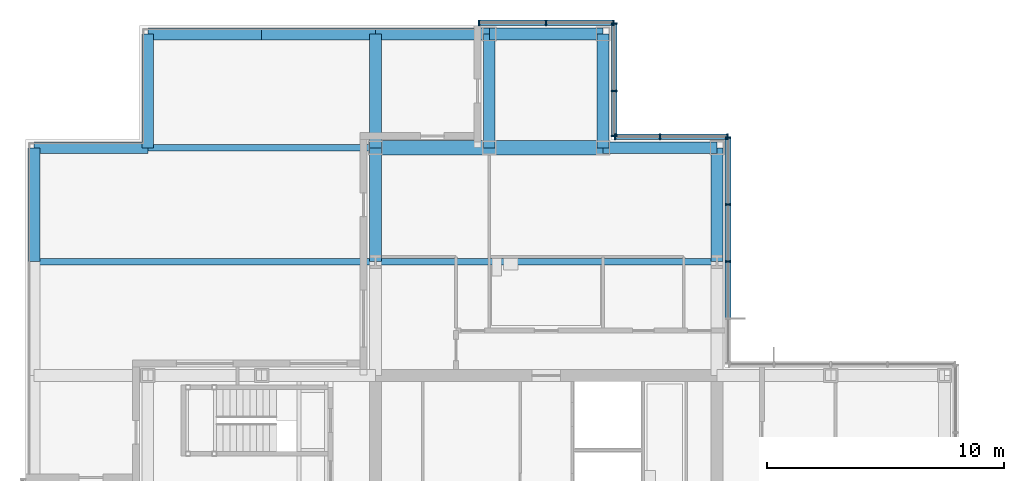
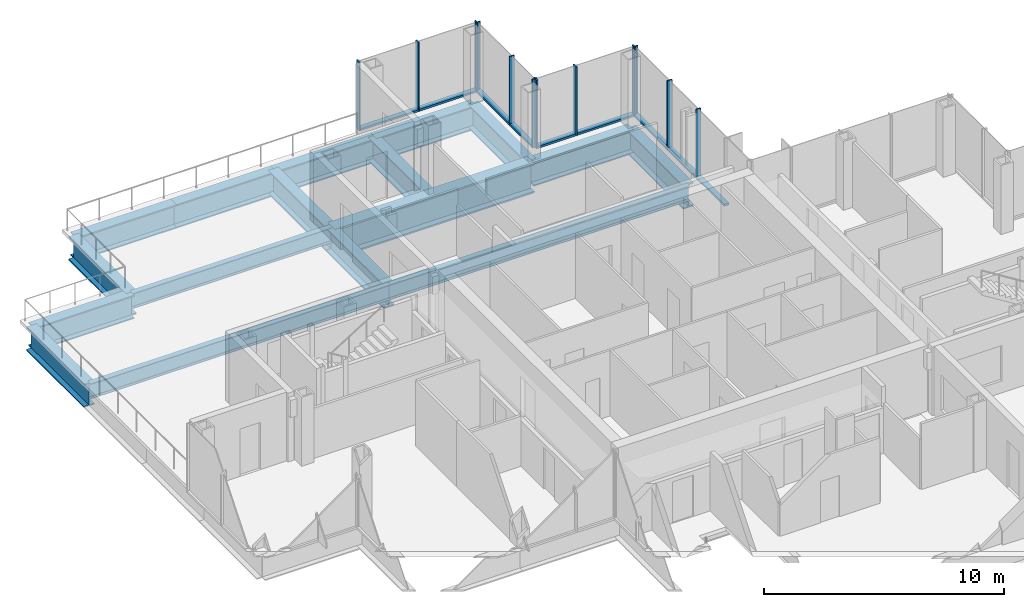
# One storey, part 9 of 17: 21 members, 17 beams, 4 elements without a shape of their own.
"""IFC4 building model written with IfcOpenShell, lengths in metres."""

from ifc_helpers import new_model, si_unit, direction, frame, origin, origin_2d, place, context, subcontext, project, spatial, rectangle, i_section, extrude, material, material_profile, profile_set, type_object, element, aggregate, save


model = new_model("IFC4")

# Units and contexts
model_context = context("Model", 3, precision=1e-05, world=origin(), true_north=direction((0.0, 1.0)))
body_context = subcontext(model_context, "Body", "Model", "MODEL_VIEW")
ifc_project = project(units=[si_unit("LENGTHUNIT", "METRE"), si_unit("AREAUNIT", "SQUARE_METRE"), si_unit("VOLUMEUNIT", "CUBIC_METRE"), si_unit("PLANEANGLEUNIT", "RADIAN"), si_unit("MASSUNIT", "GRAM", prefix="KILO")], contexts=[model_context])

# Site, building, storey
site_placement = place(None, origin())
site = spatial("IfcSite", under=ifc_project, at=site_placement, CompositionType="ELEMENT")
building_placement = place(site_placement, origin())
building = spatial("IfcBuilding", under=site, at=building_placement, Name="Kvirike Care Tower", CompositionType="ELEMENT")
storey_placement = place(building_placement, frame((0.0, 0.0, 141.0)))
storey = spatial("IfcBuildingStorey", under=building, at=storey_placement, Name="L38", CompositionType="ELEMENT", Elevation=141.0)

# Curtain wall, members
ifc_material_1 = material(Name="Anodised aluminium stick system", Category="aluminium")
curtain_wall_type = type_object("IfcCurtainWallType", Name="CW-C STICK CURTAIN WALL", PredefinedType="NOTDEFINED", material=ifc_material_1)
curtain_wall_1_placement = place(storey_placement, origin())
curtain_wall_1 = element("IfcCurtainWall", 1, at=curtain_wall_1_placement, inside=storey, type_object=curtain_wall_type, Name="Curtain wall L38 face 8", PredefinedType="NOTDEFINED")
ifc_material_2 = material(Name="Bronze anodised aluminium mullion", Category="aluminium")
ifc_material_profile_1 = material_profile(ifc_material_2, rectangle(XDim=0.06494140625, YDim=0.239990234375, at=origin_2d()), Name="CW-C MULLION 65x240")
ifc_profile_set_1 = profile_set([ifc_material_profile_1], Name="Bronze anodised aluminium mullion")
member_type_1 = type_object("IfcMemberType", Name="CW-C MULLION 65x240", PredefinedType="MULLION", material=ifc_profile_set_1)
member_1_placement = place(storey_placement, frame((29.27001953125, 48.0, 0.0), z_axis=(0.0, 0.0, 1.0), x_axis=(0.0, 1.0, 0.0)))
member_1 = element("IfcMember", 2, at=member_1_placement, type_object=member_type_1, Name="CW-C mullion L38 face 8.3", PredefinedType="MULLION", context=body_context, shape_type="SweptSolid", body=[
    extrude(rectangle(XDim=0.06494140625, YDim=0.239990234375, at=origin_2d()), origin(), (0.0, 0.0, 1.0), 3.5),
])
member_2_placement = place(storey_placement, frame((29.27001953125, 50.39990234375, 0.0), z_axis=(0.0, 0.0, 1.0), x_axis=(0.0, 1.0, 0.0)))
member_2 = element("IfcMember", 3, at=member_2_placement, type_object=member_type_1, Name="CW-C mullion L38 face 8.4", PredefinedType="MULLION", context=body_context, shape_type="SweptSolid", body=[
    extrude(rectangle(XDim=0.06494140625, YDim=0.239990234375, at=origin_2d()), origin(), (0.0, 0.0, 1.0), 3.5),
])
member_3_placement = place(storey_placement, frame((29.27001953125, 53.237548828125, 0.0), z_axis=(0.0, 0.0, 1.0), x_axis=(0.0, 1.0, 0.0)))
member_3 = element("IfcMember", 4, at=member_3_placement, type_object=member_type_1, Name="CW-C mullion L38 face 8.5", PredefinedType="MULLION", context=body_context, shape_type="SweptSolid", body=[
    extrude(rectangle(XDim=0.06494140625, YDim=0.239990234375, at=origin_2d()), origin(), (0.0, 0.0, 1.0), 3.5),
])

curtain_wall_2_placement = place(storey_placement, origin())
curtain_wall_2 = element("IfcCurtainWall", 5, at=curtain_wall_2_placement, inside=storey, type_object=curtain_wall_type, Name="Curtain wall L38 face 9", PredefinedType="NOTDEFINED")
member_4_placement = place(storey_placement, frame((29.237548828125, 53.27001953125, 0.0), z_axis=(0.0, 0.0, 1.0), x_axis=(-1.0, 0.0, 0.0)))
member_4 = element("IfcMember", 6, at=member_4_placement, type_object=member_type_1, Name="CW-C mullion L38 face 9.1", PredefinedType="MULLION", context=body_context, shape_type="SweptSolid", body=[
    extrude(rectangle(XDim=0.06494140625, YDim=0.239990234375, at=origin_2d()), origin(), (0.0, 0.0, 1.0), 3.5),
])
member_5_placement = place(storey_placement, frame((26.39990234375, 53.27001953125, 0.0), z_axis=(0.0, 0.0, 1.0), x_axis=(-1.0, 0.0, 0.0)))
member_5 = element("IfcMember", 7, at=member_5_placement, type_object=member_type_1, Name="CW-C mullion L38 face 9.2", PredefinedType="MULLION", context=body_context, shape_type="SweptSolid", body=[
    extrude(rectangle(XDim=0.06494140625, YDim=0.239990234375, at=origin_2d()), origin(), (0.0, 0.0, 1.0), 3.5),
])
member_6_placement = place(storey_placement, frame((24.50244140625, 53.27001953125, 0.0), z_axis=(0.0, 0.0, 1.0), x_axis=(-1.0, 0.0, 0.0)))
member_6 = element("IfcMember", 8, at=member_6_placement, type_object=member_type_1, Name="CW-C mullion L38 face 9.3", PredefinedType="MULLION", context=body_context, shape_type="SweptSolid", body=[
    extrude(rectangle(XDim=0.06494140625, YDim=0.239990234375, at=origin_2d()), origin(), (0.0, 0.0, 1.0), 3.5),
])

curtain_wall_3_placement = place(storey_placement, origin())
curtain_wall_3 = element("IfcCurtainWall", 9, at=curtain_wall_3_placement, inside=storey, type_object=curtain_wall_type, Name="Curtain wall L38 face 10", PredefinedType="NOTDEFINED")
member_7_placement = place(storey_placement, frame((24.469970703125, 53.302490234375, 0.0), z_axis=(0.0, 0.0, 1.0), x_axis=(0.0, 1.0, 0.0)))
member_7 = element("IfcMember", 10, at=member_7_placement, type_object=member_type_1, Name="CW-C mullion L38 face 10.1", PredefinedType="MULLION", context=body_context, shape_type="SweptSolid", body=[
    extrude(rectangle(XDim=0.06494140625, YDim=0.239990234375, at=origin_2d()), origin(), (0.0, 0.0, 1.0), 3.5),
])
member_8_placement = place(storey_placement, frame((24.469970703125, 55.199951171875, 0.0), z_axis=(0.0, 0.0, 1.0), x_axis=(0.0, 1.0, 0.0)))
member_8 = element("IfcMember", 11, at=member_8_placement, type_object=member_type_1, Name="CW-C mullion L38 face 10.2", PredefinedType="MULLION", context=body_context, shape_type="SweptSolid", body=[
    extrude(rectangle(XDim=0.06494140625, YDim=0.239990234375, at=origin_2d()), origin(), (0.0, 0.0, 1.0), 3.5),
])
member_9_placement = place(storey_placement, frame((24.469970703125, 58.03759765625, 0.0), z_axis=(0.0, 0.0, 1.0), x_axis=(0.0, 1.0, 0.0)))
member_9 = element("IfcMember", 12, at=member_9_placement, type_object=member_type_1, Name="CW-C mullion L38 face 10.3", PredefinedType="MULLION", context=body_context, shape_type="SweptSolid", body=[
    extrude(rectangle(XDim=0.06494140625, YDim=0.239990234375, at=origin_2d()), origin(), (0.0, 0.0, 1.0), 3.5),
])

curtain_wall_4_placement = place(storey_placement, origin())
curtain_wall_4 = element("IfcCurtainWall", 13, at=curtain_wall_4_placement, inside=storey, type_object=curtain_wall_type, Name="Curtain wall L38 face 11", PredefinedType="NOTDEFINED")
member_10_placement = place(storey_placement, frame((24.4375, 58.070068359375, 0.0), z_axis=(0.0, 0.0, 1.0), x_axis=(-1.0, 0.0, 0.0)))
member_10 = element("IfcMember", 14, at=member_10_placement, type_object=member_type_1, Name="CW-C mullion L38 face 11.1", PredefinedType="MULLION", context=body_context, shape_type="SweptSolid", body=[
    extrude(rectangle(XDim=0.06494140625, YDim=0.239990234375, at=origin_2d()), origin(), (0.0, 0.0, 1.0), 3.5),
])
member_11_placement = place(storey_placement, frame((21.60009765625, 58.070068359375, 0.0), z_axis=(0.0, 0.0, 1.0), x_axis=(-1.0, 0.0, 0.0)))
member_11 = element("IfcMember", 15, at=member_11_placement, type_object=member_type_1, Name="CW-C mullion L38 face 11.2", PredefinedType="MULLION", context=body_context, shape_type="SweptSolid", body=[
    extrude(rectangle(XDim=0.06494140625, YDim=0.239990234375, at=origin_2d()), origin(), (0.0, 0.0, 1.0), 3.5),
])
member_12_placement = place(storey_placement, frame((18.762451171875, 58.070068359375, 0.0), z_axis=(0.0, 0.0, 1.0), x_axis=(-1.0, 0.0, 0.0)))
member_12 = element("IfcMember", 16, at=member_12_placement, type_object=member_type_1, Name="CW-C mullion L38 face 11.3", PredefinedType="MULLION", context=body_context, shape_type="SweptSolid", body=[
    extrude(rectangle(XDim=0.06494140625, YDim=0.239990234375, at=origin_2d()), origin(), (0.0, 0.0, 1.0), 3.5),
])

# Member
ifc_material_3 = material(Name="Bronze anodised aluminium transom", Category="aluminium")
ifc_material_profile_2 = material_profile(ifc_material_3, rectangle(XDim=0.239990234375, YDim=0.10009765625, at=origin_2d()), Name="CW-C TRANSOM 240x100")
ifc_profile_set_2 = profile_set([ifc_material_profile_2], Name="Bronze anodised aluminium transom")
member_type_2 = type_object("IfcMemberType", Name="CW-C TRANSOM 240x100", PredefinedType="USERDEFINED", material=ifc_profile_set_2)
member_13_placement = place(storey_placement, frame((29.27001953125, 45.632568359375, 0.050048828125), z_axis=(0.0, 1.0, 0.0), x_axis=(-1.0, 0.0, 0.0)))
member_13 = element("IfcMember", 17, at=member_13_placement, type_object=member_type_2, Name="CW-C sill transom L38 face 8.2", ObjectType="TRANSOM", PredefinedType="USERDEFINED", context=body_context, shape_type="SweptSolid", body=[
    extrude(rectangle(XDim=0.239990234375, YDim=0.10009765625, at=origin_2d()), origin(), (0.0, 0.0, 1.0), 2.3349609375),
])

member_14_placement = place(storey_placement, frame((29.27001953125, 48.032470703125, 0.050048828125), z_axis=(0.0, 1.0, 0.0), x_axis=(-1.0, 0.0, 0.0)))
member_14 = element("IfcMember", 18, at=member_14_placement, type_object=member_type_2, Name="CW-C sill transom L38 face 8.3", ObjectType="TRANSOM", PredefinedType="USERDEFINED", context=body_context, shape_type="SweptSolid", body=[
    extrude(rectangle(XDim=0.239990234375, YDim=0.10009765625, at=origin_2d()), origin(), (0.0, 0.0, 1.0), 2.3349609375),
])

member_15_placement = place(storey_placement, frame((29.27001953125, 50.4326171875, 0.050048828125), z_axis=(0.0, 1.0, 0.0), x_axis=(-1.0, 0.0, 0.0)))
member_15 = element("IfcMember", 19, at=member_15_placement, type_object=member_type_2, Name="CW-C sill transom L38 face 8.4", ObjectType="TRANSOM", PredefinedType="USERDEFINED", context=body_context, shape_type="SweptSolid", body=[
    extrude(rectangle(XDim=0.239990234375, YDim=0.10009765625, at=origin_2d()), origin(), (0.0, 0.0, 1.0), 2.7724609375),
])

aggregate(curtain_wall_1, [member_1, member_2, member_3, member_13, member_14, member_15])

member_16_placement = place(storey_placement, frame((29.205078125, 53.27001953125, 0.050048828125), z_axis=(-1.0, 0.0, 0.0), x_axis=(0.0, -1.0, 0.0)))
member_16 = element("IfcMember", 20, at=member_16_placement, type_object=member_type_2, Name="CW-C sill transom L38 face 9.1", ObjectType="TRANSOM", PredefinedType="USERDEFINED", context=body_context, shape_type="SweptSolid", body=[
    extrude(rectangle(XDim=0.239990234375, YDim=0.10009765625, at=origin_2d()), origin(), (0.0, 0.0, 1.0), 2.7724609375),
])

member_17_placement = place(storey_placement, frame((26.367431640625, 53.27001953125, 0.050048828125), z_axis=(-1.0, 0.0, 0.0), x_axis=(0.0, -1.0, 0.0)))
member_17 = element("IfcMember", 21, at=member_17_placement, type_object=member_type_2, Name="CW-C sill transom L38 face 9.2", ObjectType="TRANSOM", PredefinedType="USERDEFINED", context=body_context, shape_type="SweptSolid", body=[
    extrude(rectangle(XDim=0.239990234375, YDim=0.10009765625, at=origin_2d()), origin(), (0.0, 0.0, 1.0), 1.83251953125),
])

aggregate(curtain_wall_2, [member_4, member_5, member_6, member_16, member_17])

member_18_placement = place(storey_placement, frame((24.469970703125, 53.3349609375, 0.050048828125), z_axis=(0.0, 1.0, 0.0), x_axis=(-1.0, 0.0, 0.0)))
member_18 = element("IfcMember", 22, at=member_18_placement, type_object=member_type_2, Name="CW-C sill transom L38 face 10.1", ObjectType="TRANSOM", PredefinedType="USERDEFINED", context=body_context, shape_type="SweptSolid", body=[
    extrude(rectangle(XDim=0.239990234375, YDim=0.10009765625, at=origin_2d()), origin(), (0.0, 0.0, 1.0), 1.83251953125),
])

member_19_placement = place(storey_placement, frame((24.469970703125, 55.232421875, 0.050048828125), z_axis=(0.0, 1.0, 0.0), x_axis=(-1.0, 0.0, 0.0)))
member_19 = element("IfcMember", 23, at=member_19_placement, type_object=member_type_2, Name="CW-C sill transom L38 face 10.2", ObjectType="TRANSOM", PredefinedType="USERDEFINED", context=body_context, shape_type="SweptSolid", body=[
    extrude(rectangle(XDim=0.239990234375, YDim=0.10009765625, at=origin_2d()), origin(), (0.0, 0.0, 1.0), 2.7724609375),
])

aggregate(curtain_wall_3, [member_7, member_8, member_9, member_18, member_19])

member_20_placement = place(storey_placement, frame((24.405029296875, 58.070068359375, 0.050048828125), z_axis=(-1.0, 0.0, 0.0), x_axis=(0.0, -1.0, 0.0)))
member_20 = element("IfcMember", 24, at=member_20_placement, type_object=member_type_2, Name="CW-C sill transom L38 face 11.1", ObjectType="TRANSOM", PredefinedType="USERDEFINED", context=body_context, shape_type="SweptSolid", body=[
    extrude(rectangle(XDim=0.239990234375, YDim=0.10009765625, at=origin_2d()), origin(), (0.0, 0.0, 1.0), 2.7724609375),
])

member_21_placement = place(storey_placement, frame((21.5673828125, 58.070068359375, 0.050048828125), z_axis=(-1.0, 0.0, 0.0), x_axis=(0.0, -1.0, 0.0)))
member_21 = element("IfcMember", 25, at=member_21_placement, type_object=member_type_2, Name="CW-C sill transom L38 face 11.2", ObjectType="TRANSOM", PredefinedType="USERDEFINED", context=body_context, shape_type="SweptSolid", body=[
    extrude(rectangle(XDim=0.239990234375, YDim=0.10009765625, at=origin_2d()), origin(), (0.0, 0.0, 1.0), 2.7724609375),
])

aggregate(curtain_wall_4, [member_10, member_11, member_12, member_20, member_21])

# Beams
ifc_material_4 = material(Name="Steel S355", Category="steel")
ifc_material_profile_3 = material_profile(ifc_material_4, i_section(OverallWidth=0.26806640625, OverallDepth=0.77001953125, WebThickness=0.015625, FlangeThickness=0.025390625, FilletRadius=0.01708984375, at=origin_2d()), Name="IPE 750x196")
ifc_profile_set_3 = profile_set([ifc_material_profile_3], Name="Steel S355")
beam_type_1 = type_object("IfcBeamType", Name="FLOOR BEAM IPE 750x196", PredefinedType="BEAM", material=ifc_profile_set_3)
beam_1_placement = place(storey_placement, frame((0.0, 48.0, -0.554931640625), z_axis=(1.0, 0.0, 0.0), x_axis=(0.0, 1.0, 0.0)))
element("IfcBeam", 26, at=beam_1_placement, inside=storey, type_object=beam_type_1, Name="Floor Beam L3-L6 L38", PredefinedType="BEAM", context=body_context, shape_type="SweptSolid", body=[
    extrude(i_section(OverallWidth=0.26806640625, OverallDepth=0.77001953125, WebThickness=0.015625, FlangeThickness=0.025390625, FilletRadius=0.01708984375, at=origin_2d()), origin(), (0.0, 0.0, 1.0), 14.39990234375),
])
beam_2_placement = place(storey_placement, frame((14.39990234375, 48.0, -0.554931640625), z_axis=(1.0, 0.0, 0.0), x_axis=(0.0, 1.0, 0.0)))
element("IfcBeam", 27, at=beam_2_placement, inside=storey, type_object=beam_type_1, Name="Floor Beam L6-L9 L38", PredefinedType="BEAM", context=body_context, shape_type="SweptSolid", body=[
    extrude(i_section(OverallWidth=0.26806640625, OverallDepth=0.77001953125, WebThickness=0.015625, FlangeThickness=0.025390625, FilletRadius=0.01708984375, at=origin_2d()), origin(), (0.0, 0.0, 1.0), 14.400146484375),
])
beam_3_placement = place(storey_placement, frame((4.800048828125, 52.800048828125, -0.554931640625), z_axis=(1.0, 0.0, 0.0), x_axis=(0.0, 1.0, 0.0)))
element("IfcBeam", 28, at=beam_3_placement, inside=storey, type_object=beam_type_1, Name="Floor Beam M4-M6 L38", PredefinedType="BEAM", context=body_context, shape_type="SweptSolid", body=[
    extrude(i_section(OverallWidth=0.26806640625, OverallDepth=0.77001953125, WebThickness=0.015625, FlangeThickness=0.025390625, FilletRadius=0.01708984375, at=origin_2d()), origin(), (0.0, 0.0, 1.0), 9.599853515625),
])
ifc_material_5 = material(Name="Steel S355", Category="steel")
ifc_material_profile_4 = material_profile(ifc_material_5, i_section(OverallWidth=0.5, OverallDepth=1.199951171875, WebThickness=0.030029296875, FlangeThickness=0.06005859375, at=origin_2d()), Name="PG 1200x500x30x60")
ifc_profile_set_4 = profile_set([ifc_material_profile_4], Name="Steel S355")
beam_type_2 = type_object("IfcBeamType", Name="FRAME BEAM PG 1200x500x30x60", PredefinedType="BEAM", material=ifc_profile_set_4)
beam_4_placement = place(storey_placement, frame((14.39990234375, 52.800048828125, -0.77001953125), z_axis=(0.0, 1.0, 0.0), x_axis=(-1.0, 0.0, 0.0)))
element("IfcBeam", 29, at=beam_4_placement, inside=storey, type_object=beam_type_2, Name="Frame Beam M6-N6 L38", PredefinedType="BEAM", context=body_context, shape_type="SweptSolid", body=[
    extrude(i_section(OverallWidth=0.5, OverallDepth=1.199951171875, WebThickness=0.030029296875, FlangeThickness=0.06005859375, at=origin_2d()), origin(), (0.0, 0.0, 1.0), 4.800048828125),
])
ifc_material_6 = material(Name="Steel S355", Category="steel")
ifc_material_profile_5 = material_profile(ifc_material_6, i_section(OverallWidth=0.5, OverallDepth=1.199951171875, WebThickness=0.030029296875, FlangeThickness=0.06005859375, at=origin_2d()), Name="PG 1200x500x30x60")
ifc_profile_set_5 = profile_set([ifc_material_profile_5], Name="Steel S355")
beam_type_3 = type_object("IfcBeamType", Name="SPANDREL PG 1200x500x30x60", PredefinedType="SPANDREL", material=ifc_profile_set_5)
for number, where, z_axis, x_axis, name in (
    (30, (0.0, 52.800048828125, -0.77001953125), (1.0, 0.0, 0.0), (0.0, 1.0, 0.0), "Spandrel M3-M4 L38"),
    (31, (24.0, 52.800048828125, -0.77001953125), (1.0, 0.0, 0.0), (0.0, 1.0, 0.0), "Spandrel M8-M9 L38"),
    (32, (4.800048828125, 57.60009765625, -0.77001953125), (1.0, 0.0, 0.0), (0.0, 1.0, 0.0), "Spandrel N4-N5 L38"),
):
    element("IfcBeam", number, at=place(storey_placement, frame(where, z_axis=z_axis, x_axis=x_axis)), inside=storey, type_object=beam_type_3, Name=name, PredefinedType="SPANDREL", context=body_context, shape_type="SweptSolid", body=[
        extrude(i_section(OverallWidth=0.5, OverallDepth=1.199951171875, WebThickness=0.030029296875, FlangeThickness=0.06005859375, at=origin_2d()), origin(), (0.0, 0.0, 1.0), 4.800048828125),
    ])
beam_5_placement = place(storey_placement, frame((9.60009765625, 57.60009765625, -0.77001953125), z_axis=(1.0, 0.0, 0.0), x_axis=(0.0, 1.0, 0.0)))
element("IfcBeam", 33, at=beam_5_placement, inside=storey, type_object=beam_type_3, Name="Spandrel N5-N6 L38", PredefinedType="SPANDREL", context=body_context, shape_type="SweptSolid", body=[
    extrude(i_section(OverallWidth=0.5, OverallDepth=1.199951171875, WebThickness=0.030029296875, FlangeThickness=0.06005859375, at=origin_2d()), origin(), (0.0, 0.0, 1.0), 4.7998046875),
])
for number, where, z_axis, x_axis, name in (
    (34, (14.39990234375, 57.60009765625, -0.77001953125), (1.0, 0.0, 0.0), (0.0, 1.0, 0.0), "Spandrel N6-N7 L38"),
    (35, (19.199951171875, 57.60009765625, -0.77001953125), (1.0, 0.0, 0.0), (0.0, 1.0, 0.0), "Spandrel N7-N8 L38"),
    (36, (0.0, 48.0, -0.77001953125), (0.0, 1.0, 0.0), (-1.0, 0.0, 0.0), "Spandrel L3-M3 L38"),
    (37, (4.800048828125, 52.800048828125, -0.77001953125), (0.0, 1.0, 0.0), (-1.0, 0.0, 0.0), "Spandrel M4-N4 L38"),
    (38, (14.39990234375, 48.0, -0.77001953125), (0.0, 1.0, 0.0), (-1.0, 0.0, 0.0), "Spandrel L6-M6 L38"),
    (39, (19.199951171875, 52.800048828125, -0.77001953125), (0.0, 1.0, 0.0), (-1.0, 0.0, 0.0), "Spandrel M7-N7 L38"),
    (40, (24.0, 52.800048828125, -0.77001953125), (0.0, 1.0, 0.0), (-1.0, 0.0, 0.0), "Spandrel M8-N8 L38"),
    (41, (28.800048828125, 48.0, -0.77001953125), (0.0, 1.0, 0.0), (-1.0, 0.0, 0.0), "Spandrel L9-M9 L38"),
):
    element("IfcBeam", number, at=place(storey_placement, frame(where, z_axis=z_axis, x_axis=x_axis)), inside=storey, type_object=beam_type_3, Name=name, PredefinedType="SPANDREL", context=body_context, shape_type="SweptSolid", body=[
        extrude(i_section(OverallWidth=0.5, OverallDepth=1.199951171875, WebThickness=0.030029296875, FlangeThickness=0.06005859375, at=origin_2d()), origin(), (0.0, 0.0, 1.0), 4.800048828125),
    ])
ifc_material_7 = material(Name="Steel S355", Category="steel")
ifc_material_profile_6 = material_profile(ifc_material_7, i_section(OverallWidth=0.60009765625, OverallDepth=1.5, WebThickness=0.0400390625, FlangeThickness=0.080078125, at=origin_2d()), Name="PG 1500x600x40x80")
ifc_profile_set_6 = profile_set([ifc_material_profile_6], Name="Steel S355")
beam_type_4 = type_object("IfcBeamType", Name="TRANSFER GIRDER PG 1500x600x40x80", PredefinedType="BEAM", material=ifc_profile_set_6)
beam_6_placement = place(storey_placement, frame((14.39990234375, 52.800048828125, -0.919921875), z_axis=(1.0, 0.0, 0.0), x_axis=(0.0, 1.0, 0.0)))
element("IfcBeam", 42, at=beam_6_placement, inside=storey, type_object=beam_type_4, Name="Transfer Girder M6-M8 L38", PredefinedType="BEAM", context=body_context, shape_type="SweptSolid", body=[
    extrude(i_section(OverallWidth=0.60009765625, OverallDepth=1.5, WebThickness=0.0400390625, FlangeThickness=0.080078125, at=origin_2d()), origin(), (0.0, 0.0, 1.0), 9.60009765625),
])

save(model, "model.ifc")
